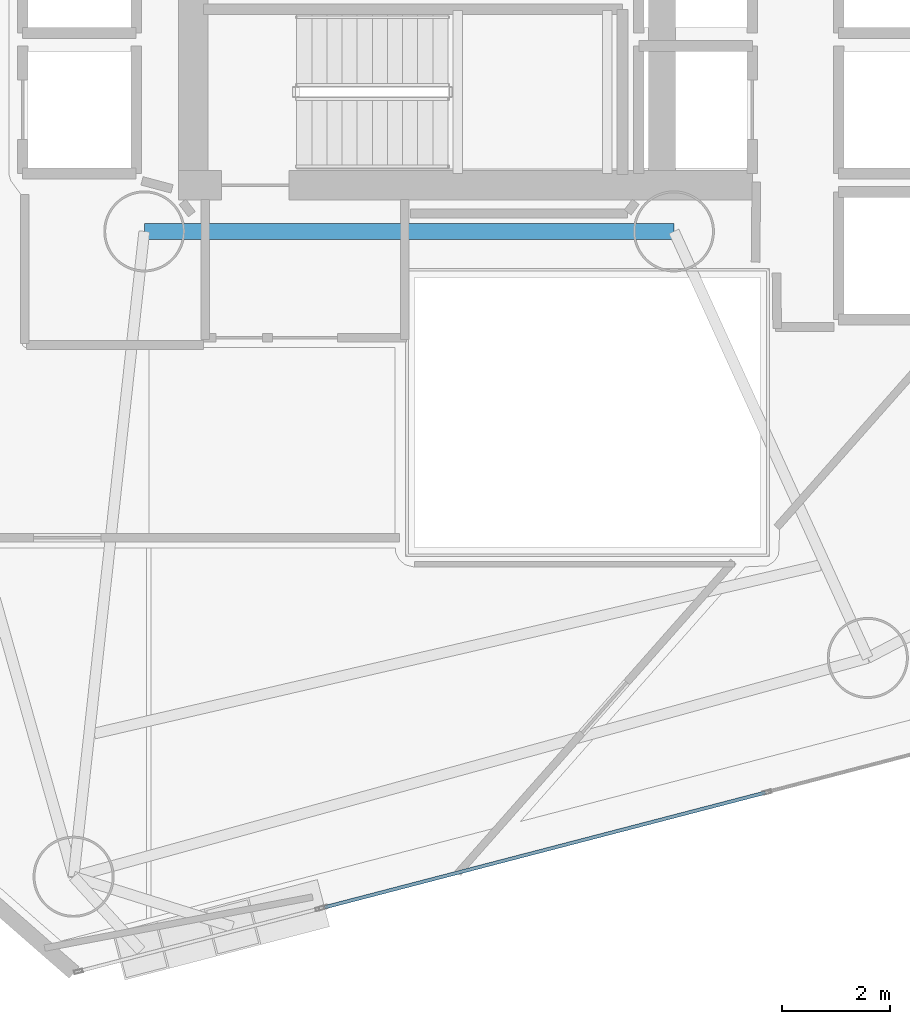
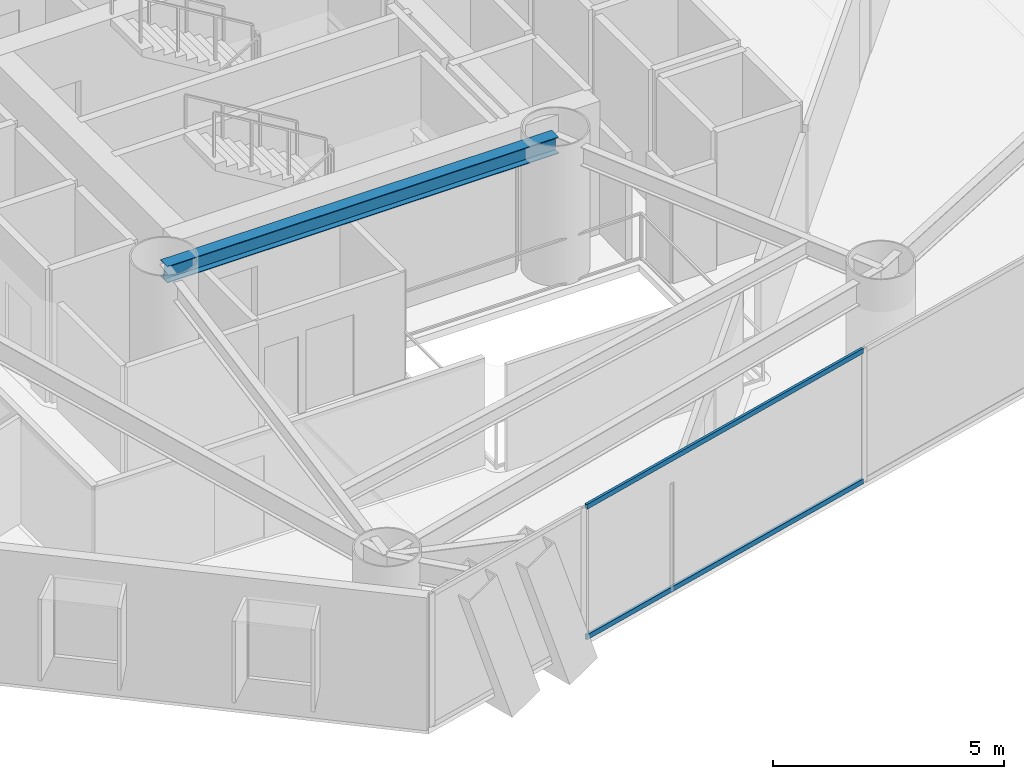
# One storey, part 5 of 21: 2 members, 1 beam, 1 element without a shape of its own.
"""IFC4 building model written with IfcOpenShell, lengths in metres."""

from ifc_helpers import new_model, si_unit, direction, frame, origin, origin_2d, place, context, subcontext, project, spatial, hollow_rectangle, i_section, extrude, material, layer, layer_set, material_profile, profile_set, type_object, element, aggregate, save


model = new_model("IFC4")

# Units and contexts
model_context = context("Model", 3, precision=1e-05, world=origin(), true_north=direction((0.0, 1.0)))
body_context = subcontext(model_context, "Body", "Model", "MODEL_VIEW")
ifc_project = project(units=[si_unit("LENGTHUNIT", "METRE"), si_unit("AREAUNIT", "SQUARE_METRE"), si_unit("VOLUMEUNIT", "CUBIC_METRE"), si_unit("PLANEANGLEUNIT", "RADIAN"), si_unit("MASSUNIT", "GRAM", prefix="KILO")], contexts=[model_context])

# Site, building, storey
site_placement = place(None, origin())
site = spatial("IfcSite", under=ifc_project, at=site_placement, CompositionType="ELEMENT")
building_placement = place(site_placement, origin())
building = spatial("IfcBuilding", under=site, at=building_placement, Name="Qianvela Tower", CompositionType="ELEMENT")
storey_placement = place(building_placement, frame((0.0, 0.0, 108.89990234375)))
storey = spatial("IfcBuildingStorey", under=building, at=storey_placement, Name="L27", CompositionType="ELEMENT", Elevation=108.89990234375)

# Beam
ifc_material_1 = material(Name="Steel Q355B", Category="steel")
ifc_material_profile_1 = material_profile(ifc_material_1, i_section(OverallWidth=0.300048828125, OverallDepth=0.43994140625, WebThickness=0.010986328125, FlangeThickness=0.01806640625, at=origin_2d()), Name="HM440x300x11x18")
ifc_profile_set_1 = profile_set([ifc_material_profile_1], Name="Steel Q355B")
beam_type = type_object("IfcBeamType", Name="BM-HM440-COLL", PredefinedType="BEAM", material=ifc_profile_set_1)
beam_placement = place(storey_placement, frame((28.60009765625, 23.85009765625, 3.298095703125), z_axis=(1.0, 0.0, 0.0), x_axis=(0.0, 1.0, 0.0)))
element("IfcBeam", 1, at=beam_placement, inside=storey, type_object=beam_type, Name="L27 Core Ring Collector Girder CC1", PredefinedType="BEAM", context=body_context, shape_type="SweptSolid", body=[
    extrude(i_section(OverallWidth=0.300048828125, OverallDepth=0.43994140625, WebThickness=0.010986328125, FlangeThickness=0.01806640625, at=origin_2d()), origin(), (0.0, 0.0, 1.0), 9.7998046875),
])

# Curtain wall, members
ifc_material_2 = material(Name="Anodised Architectural Aluminium and Low-E Glass", Category="aluminium")
ifc_layer = layer(ifc_material_2, 0.169921875)
ifc_layer_set = layer_set([ifc_layer], Name="Anodised Architectural Aluminium and Low-E Glass")
curtain_wall_type = type_object("IfcCurtainWallType", Name="CW-COLIV-Z34", PredefinedType="USERDEFINED", material=ifc_layer_set)
curtain_wall_placement = place(storey_placement, origin())
curtain_wall = element("IfcCurtainWall", 2, at=curtain_wall_placement, inside=storey, type_object=curtain_wall_type, Name="L27 CW-COLIV-Z34 Curtain Wall 06B", ObjectType="CURTAIN_WALL_SYSTEM", PredefinedType="USERDEFINED")
ifc_material_3 = material(Name="Anodised Architectural Aluminium 6063-T6", Category="aluminium")
ifc_material_profile_2 = material_profile(ifc_material_3, hollow_rectangle(XDim=0.06494140625, YDim=0.1298828125, WallThickness=0.00439453125, at=origin_2d()), Name="ALU-TRAN-65x130")
ifc_profile_set_2 = profile_set([ifc_material_profile_2], Name="Anodised Architectural Aluminium 6063-T6")
member_type = type_object("IfcMemberType", Name="CW-COLIV-Z34-TRAN", PredefinedType="USERDEFINED", material=ifc_profile_set_2)
member_1_placement = place(storey_placement, frame((31.94140625, 11.34326171875, 0.03271484375), z_axis=(0.967737859566, 0.251959193446, 0.0), x_axis=(-0.251959193446, 0.967737859566, 0.0)))
member_1 = element("IfcMember", 3, at=member_1_placement, type_object=member_type, Name="CW-4 transom 1.1", ObjectType="TRANSOM", PredefinedType="USERDEFINED", context=body_context, shape_type="SweptSolid", body=[
    extrude(hollow_rectangle(XDim=0.06494140625, YDim=0.1298828125, WallThickness=0.00439453125, at=origin_2d()), origin(), (0.0, 0.0, 1.0), 8.42041015625),
])
member_2_placement = place(storey_placement, frame((31.94140625, 11.34326171875, 3.487548828125), z_axis=(0.967737859566, 0.251959193446, 0.0), x_axis=(-0.251959193446, 0.967737859566, 0.0)))
member_2 = element("IfcMember", 4, at=member_2_placement, type_object=member_type, Name="CW-4 transom 1.2", ObjectType="TRANSOM", PredefinedType="USERDEFINED", context=body_context, shape_type="SweptSolid", body=[
    extrude(hollow_rectangle(XDim=0.06494140625, YDim=0.1298828125, WallThickness=0.00439453125, at=origin_2d()), origin(), (0.0, 0.0, 1.0), 8.42041015625),
])
aggregate(curtain_wall, [member_1, member_2])

save(model, "model.ifc")
